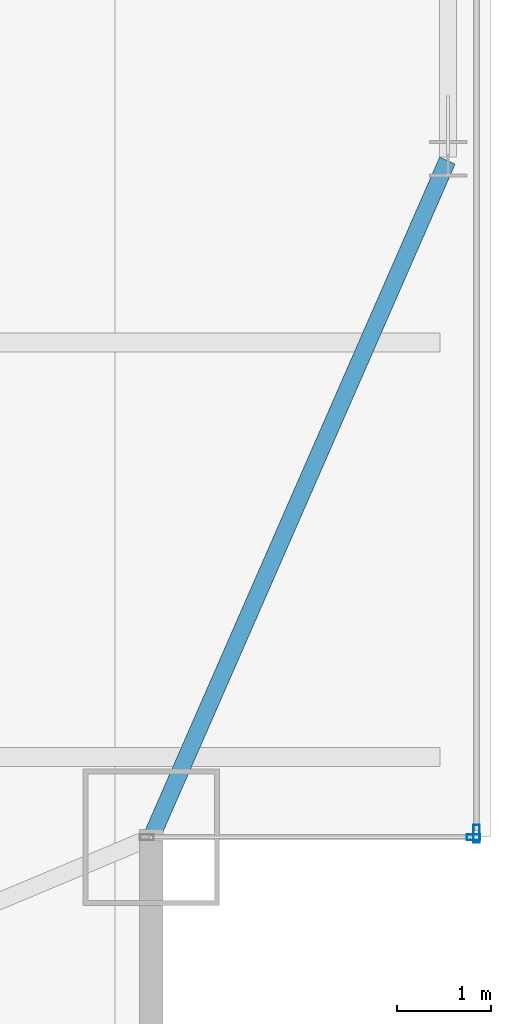
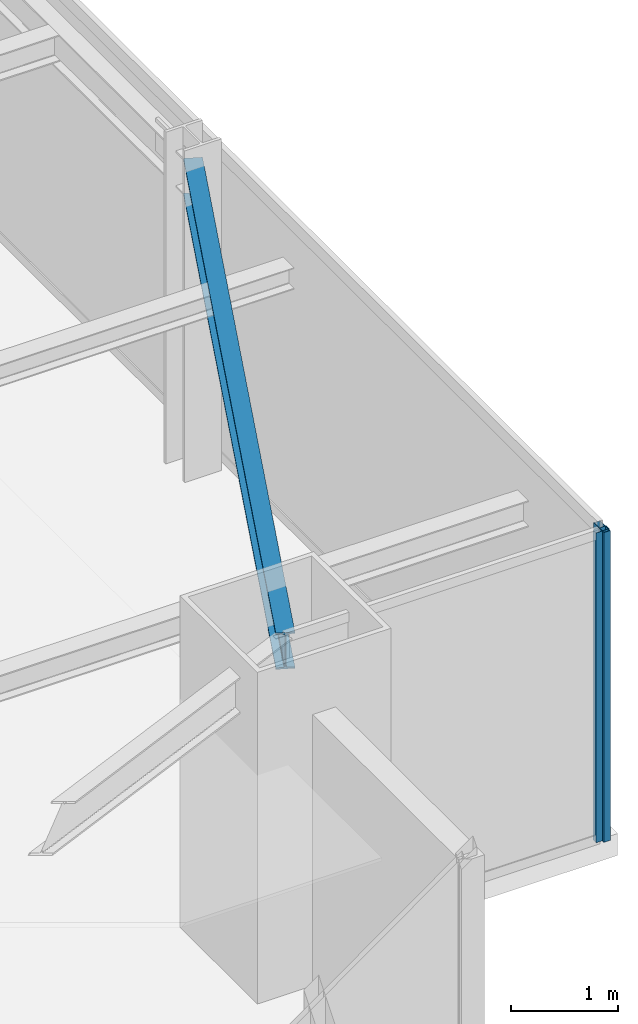
# One storey, part 16 of 32: 2 members, 1 beam, 2 elements without a shape of their own.
"""IFC4 building model written with IfcOpenShell, lengths in metres."""

from ifc_helpers import new_model, si_unit, direction, frame, origin, origin_2d, place, context, subcontext, project, spatial, hollow_rectangle, i_section, extrude, source, transform, mapped, material, layer, layer_set, material_profile, profile_set, type_object, type_shapes, element, aggregate, save


model = new_model("IFC4")

# Units and contexts
model_context = context("Model", 3, precision=1e-05, world=origin(), true_north=direction((0.0, 1.0)))
body_context = subcontext(model_context, "Body", "Model", "MODEL_VIEW")
ifc_project = project(units=[si_unit("LENGTHUNIT", "METRE"), si_unit("AREAUNIT", "SQUARE_METRE"), si_unit("VOLUMEUNIT", "CUBIC_METRE"), si_unit("PLANEANGLEUNIT", "RADIAN"), si_unit("MASSUNIT", "GRAM", prefix="KILO")], contexts=[model_context])

# Site, building, storey
site_placement = place(None, origin())
site = spatial("IfcSite", under=ifc_project, at=site_placement, CompositionType="ELEMENT")
building_placement = place(site_placement, origin())
building = spatial("IfcBuilding", under=site, at=building_placement, Name="Varnel Quay Broadcast Tower", CompositionType="ELEMENT")
storey_placement = place(building_placement, frame((0.0, 0.0, 90.800048828125)))
storey = spatial("IfcBuildingStorey", under=building, at=storey_placement, Name="L21", CompositionType="ELEMENT", Elevation=90.800048828125)

# Beam
ifc_material_1 = material(Name="Structural Steel CSA G40.21 350W", Category="steel")
ifc_material_profile_1 = material_profile(ifc_material_1, i_section(OverallWidth=0.180908203125, OverallDepth=0.4169921875, WebThickness=0.010986328125, FlangeThickness=0.018310546875, FilletRadius=0.011962890625, at=origin_2d()), Name="W410X85")
ifc_profile_set_1 = profile_set([ifc_material_profile_1], Name="Structural Steel CSA G40.21 350W")
beam_type = type_object("IfcBeamType", Name="Beam_W410X85", PredefinedType="SPANDREL", material=ifc_profile_set_1)
shared_shape_1 = source(origin(), body_context, "Body", "SweptSolid", [
    extrude(i_section(OverallWidth=0.180908203125, OverallDepth=0.4169921875, WebThickness=0.010986328125, FlangeThickness=0.018310546875, FilletRadius=0.011962890625, at=origin_2d()), origin(), (0.0, 0.0, 1.0), 7.81884765625),
])
type_shapes(beam_type, [shared_shape_1])
beam_placement = place(storey_placement, frame((59.907958984375, 7.818359375, 3.341552734375), z_axis=(0.400827023998, 0.916153751743, 0.0), x_axis=(-0.916153751743, 0.400827023998, 0.0)))
element("IfcBeam", 1, at=beam_placement, inside=storey, type_object=beam_type, Name="L21 East Spandrel MC-SE-TC-E1", PredefinedType="SPANDREL", context=body_context, shape_type="MappedRepresentation", body=[
    mapped(shared_shape_1, transform((0.0, 0.0, 0.0), x_axis=(1.0, 0.0, 0.0), y_axis=(0.0, 1.0, 0.0), z_axis=(0.0, 0.0, 1.0), scale=1.0)),
])

# Curtain wall, member
ifc_material_2 = material(Name="Anodised Bronze Aluminium 6063-T6", Category="aluminium")
ifc_layer_1 = layer(ifc_material_2, 0.18994140625, Name="Anodised Bronze Aluminium 6063-T6")
ifc_layer_set_1 = layer_set([ifc_layer_1], Name="Anodised Bronze Aluminium 6063-T6")
curtain_wall_type_1 = type_object("IfcCurtainWallType", Name="CW_LowerTower", PredefinedType="NOTDEFINED", material=ifc_layer_set_1)
curtain_wall_1_placement = place(storey_placement, origin())
curtain_wall_1 = element("IfcCurtainWall", 2, at=curtain_wall_1_placement, inside=storey, type_object=curtain_wall_type_1, Name="L21 East Unitised Curtain Wall", PredefinedType="NOTDEFINED")
ifc_material_profile_2 = material_profile(ifc_material_2, hollow_rectangle(XDim=0.070068359375, YDim=0.18994140625, WallThickness=0.00390625, at=origin_2d()), Name="ALU70X190X4")
ifc_profile_set_2 = profile_set([ifc_material_profile_2], Name="Anodised Bronze Aluminium 6063-T6")
member_type_1 = type_object("IfcMemberType", Name="Mull_CWS-02", PredefinedType="MULLION", material=ifc_profile_set_2)
shared_shape_2 = source(origin(), body_context, "Body", "SweptSolid", [
    extrude(hollow_rectangle(XDim=0.070068359375, YDim=0.18994140625, WallThickness=0.00390625, at=origin_2d()), origin(), (0.0, 0.0, 1.0), 3.550048828125),
])
type_shapes(member_type_1, [shared_shape_2])
member_1_placement = place(storey_placement, frame((63.35009765625, 7.8349609375, 0.0), z_axis=(0.0, 0.0, 1.0), x_axis=(-1.0, 0.0, 0.0)))
member_1 = element("IfcMember", 3, at=member_1_placement, type_object=member_type_1, Name="CWS-02 mullion 1", PredefinedType="MULLION", context=body_context, shape_type="MappedRepresentation", body=[
    mapped(shared_shape_2, transform((0.0, 0.0, 0.0), x_axis=(1.0, 0.0, 0.0), y_axis=(0.0, 1.0, 0.0), z_axis=(0.0, 0.0, 1.0), scale=1.0)),
])
aggregate(curtain_wall_1, [member_1])

ifc_layer_2 = layer(ifc_material_2, 0.18994140625, Name="Anodised Bronze Aluminium 6063-T6")
ifc_layer_set_2 = layer_set([ifc_layer_2], Name="Anodised Bronze Aluminium 6063-T6")
curtain_wall_type_2 = type_object("IfcCurtainWallType", Name="CW_NotchCorner", PredefinedType="NOTDEFINED", material=ifc_layer_set_2)
curtain_wall_2_placement = place(storey_placement, origin())
curtain_wall_2 = element("IfcCurtainWall", 4, at=curtain_wall_2_placement, inside=storey, type_object=curtain_wall_type_2, Name="L21 SE Notch Curtain Wall", PredefinedType="NOTDEFINED")
ifc_material_profile_3 = material_profile(ifc_material_2, hollow_rectangle(XDim=0.06005859375, YDim=0.14501953125, WallThickness=0.00341796875, at=origin_2d()), Name="ALU60X145X3.5")
ifc_profile_set_3 = profile_set([ifc_material_profile_3], Name="Anodised Bronze Aluminium 6063-T6")
member_type_2 = type_object("IfcMemberType", Name="Mull_CWS-04", PredefinedType="MULLION", material=ifc_profile_set_3)
shared_shape_3 = source(origin(), body_context, "Body", "SweptSolid", [
    extrude(hollow_rectangle(XDim=0.06005859375, YDim=0.14501953125, WallThickness=0.00341796875, at=origin_2d()), origin(), (0.0, 0.0, 1.0), 3.550048828125),
])
type_shapes(member_type_2, [shared_shape_3])
member_2_placement = place(storey_placement, frame((63.320068359375, 7.800048828125, 0.0), z_axis=(0.0, 0.0, 1.0), x_axis=(0.0, 1.0, 0.0)))
member_2 = element("IfcMember", 5, at=member_2_placement, type_object=member_type_2, Name="CWS-04 mullion 2", PredefinedType="MULLION", context=body_context, shape_type="MappedRepresentation", body=[
    mapped(shared_shape_3, transform((0.0, 0.0, 0.0), x_axis=(1.0, 0.0, 0.0), y_axis=(0.0, 1.0, 0.0), z_axis=(0.0, 0.0, 1.0), scale=1.0)),
])
aggregate(curtain_wall_2, [member_2])

save(model, "model.ifc")
